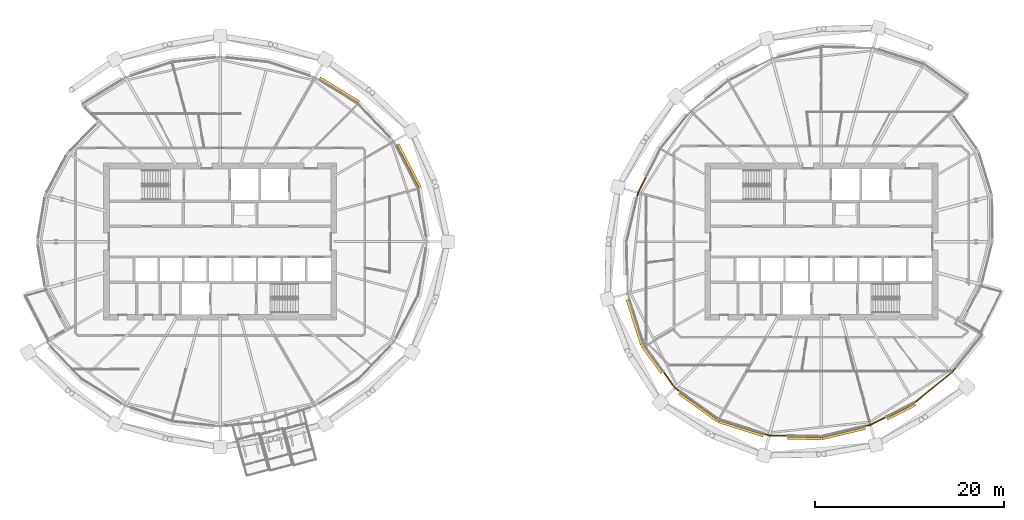
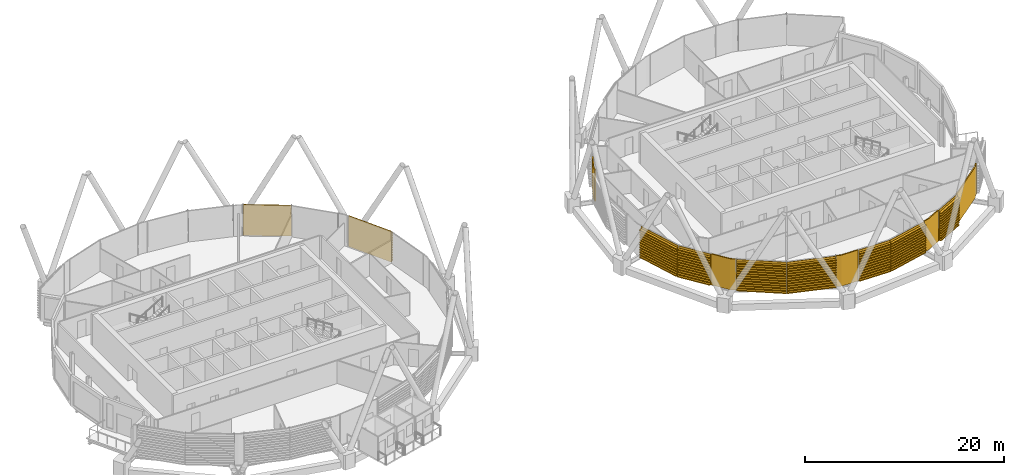
# One storey, part 33 of 35: 14 coverings.
"""IFC4 building model written with IfcOpenShell, lengths in metres."""

import ifcopenshell
import ifcopenshell.guid

model = None  # the IFC model being written
_history = None  # IfcOwnerHistory: only IFC2X3 demands one
_inside = {}  # id of a spatial element -> (the spatial element, [elements in it])
_under = {}  # id of a project, library or spatial element -> (it, [spatial elements below it])
_declared = {}  # id of a project -> (the project, [libraries it declares])
_typed = {}  # id of a type object -> (the type object, [elements of that type])
_made_of = {}  # id of a material, layer set ... -> (it, [elements and type objects made of it])


def new_model(schema):
    """Start an empty IFC model of exactly this schema.

    Asked for "IFC4X3", IfcOpenShell would pick the latest addendum, in which some entities
    have other attributes; the version numbers below select the first issue.
    IFC2X3 requires an IfcOwnerHistory on every rooted entity: one is made here for all.
    """
    global model, _history
    if schema == "IFC4X3":
        model = ifcopenshell.file(schema_version=(4, 3, 0, 0))
    else:
        model = ifcopenshell.file(schema=schema)
    _inside.clear()
    _under.clear()
    _declared.clear()
    _typed.clear()
    _made_of.clear()
    _history = None
    if model.schema == "IFC2X3":
        org = make("IfcOrganization", Name="unknown")
        user = make(
            "IfcPersonAndOrganization",
            ThePerson=make("IfcPerson", FamilyName="unknown"),
            TheOrganization=org,
        )
        app = make(
            "IfcApplication",
            ApplicationDeveloper=org,
            Version="unknown",
            ApplicationFullName="unknown",
            ApplicationIdentifier="unknown",
        )
        _history = make(
            "IfcOwnerHistory",
            OwningUser=user,
            OwningApplication=app,
            ChangeAction="ADDED",
            CreationDate=0,
        )
    return model


def make(cls, **values):
    """One entity of the class cls with the attributes given. An attribute that is None is left unset."""
    return model.create_entity(
        cls, **{name: value for name, value in values.items() if value is not None}
    )


def rooted(cls, **values):
    """An entity with a GlobalId (a new one), such as an element, a storey or a relation."""
    return make(cls, GlobalId=ifcopenshell.guid.new(), OwnerHistory=_history, **values)


def si_unit(unit_type, name, prefix=None):
    """IfcSIUnit, for example si_unit("LENGTHUNIT", "METRE", prefix="MILLI")."""
    return make("IfcSIUnit", UnitType=unit_type, Prefix=prefix, Name=name)


def assignment(units):
    """IfcUnitAssignment: the units of a project."""
    return None if units is None else make("IfcUnitAssignment", Units=units)


def point(xyz):
    """IfcCartesianPoint."""
    return None if xyz is None else make("IfcCartesianPoint", Coordinates=xyz)


def direction(xyz):
    """IfcDirection."""
    return None if xyz is None else make("IfcDirection", DirectionRatios=xyz)


def frame(location, z_axis=None, x_axis=None):
    """IfcAxis2Placement3D, a coordinate frame: its origin and axes. An axis left out is left unset."""
    return make(
        "IfcAxis2Placement3D",
        Location=point(location),
        Axis=direction(z_axis),
        RefDirection=direction(x_axis),
    )


def origin():
    """The frame at (0, 0, 0) with its axes left unset."""
    return frame((0.0, 0.0, 0.0))


def place(relative_to, where):
    """IfcLocalPlacement: puts the frame where relative to a parent placement (None: the world)."""
    return make(
        "IfcLocalPlacement", PlacementRelTo=relative_to, RelativePlacement=where
    )


def context(
    kind, dimensions, precision=None, world=None, true_north=None, identifier=None
):
    """IfcGeometricRepresentationContext, for example the 3D "Model" context."""
    return make(
        "IfcGeometricRepresentationContext",
        ContextIdentifier=identifier,
        ContextType=kind,
        CoordinateSpaceDimension=dimensions,
        Precision=precision,
        WorldCoordinateSystem=world,
        TrueNorth=true_north,
    )


def subcontext(parent, identifier, kind, view, scale=None):
    """IfcGeometricRepresentationSubContext, for example "Body" below "Model"."""
    return make(
        "IfcGeometricRepresentationSubContext",
        ContextIdentifier=identifier,
        ContextType=kind,
        ParentContext=parent,
        TargetScale=scale,
        TargetView=view,
    )


def project(units=None, contexts=None):
    """IfcProject with its units and contexts."""
    return rooted(
        "IfcProject",
        Name="project",
        RepresentationContexts=contexts,
        UnitsInContext=assignment(units),
    )


def spatial(cls, under=None, at=None, **own):
    """A site, building, storey or space (cls), placed at a placement, below another one or the project."""
    s = rooted(cls, ObjectPlacement=at, **own)
    if under is not None:
        _under.setdefault(under.id(), (under, []))[1].append(s)
    return s


def polyline(points):
    """IfcPolyline through the points."""
    return make("IfcPolyline", Points=[point(p) for p in points])


def outline(outer, holes=None, kind="AREA"):
    """IfcArbitraryClosedProfileDef: a profile drawn as a closed curve; with holes, ...WithVoids."""
    if holes is None:
        return make("IfcArbitraryClosedProfileDef", ProfileType=kind, OuterCurve=outer)
    return make(
        "IfcArbitraryProfileDefWithVoids",
        ProfileType=kind,
        OuterCurve=outer,
        InnerCurves=holes,
    )


def extrude(swept, where, along, depth):
    """IfcExtrudedAreaSolid: the profile swept, set in the frame where, extruded along a direction by depth."""
    return make(
        "IfcExtrudedAreaSolid",
        SweptArea=swept,
        Position=where,
        ExtrudedDirection=direction(along),
        Depth=depth,
    )


def shape(context_of_items, identifier, shape_type, items):
    """IfcShapeRepresentation: the items that make up one representation, for example the "Body"."""
    return make(
        "IfcShapeRepresentation",
        ContextOfItems=context_of_items,
        RepresentationIdentifier=identifier,
        RepresentationType=shape_type,
        Items=items,
    )


def material(Name=None, Category=None):
    """IfcMaterial."""
    return make("IfcMaterial", Name=Name, Category=Category)


def layer(
    of_material, thickness, ventilated=None, Name=None, Category=None, Priority=None
):
    """IfcMaterialLayer: one layer of a wall or slab, of a material (None: an air gap)."""
    return make(
        "IfcMaterialLayer",
        Material=of_material,
        LayerThickness=thickness,
        IsVentilated=ventilated,
        Name=Name,
        Category=Category,
        Priority=Priority,
    )


def layer_set(layers, Name=None):
    """IfcMaterialLayerSet."""
    return make("IfcMaterialLayerSet", MaterialLayers=layers, LayerSetName=Name)


def material_profile(
    of_material, cross_section, Name=None, Category=None, Priority=None
):
    """IfcMaterialProfile: a cross section and its material."""
    return make(
        "IfcMaterialProfile",
        Name=Name,
        Material=of_material,
        Profile=cross_section,
        Priority=Priority,
        Category=Category,
    )


def profile_set(profiles, Name=None, composite=None):
    """IfcMaterialProfileSet."""
    return make(
        "IfcMaterialProfileSet",
        Name=Name,
        MaterialProfiles=profiles,
        CompositeProfile=composite,
    )


def made_of(thing, what):
    """Note that an element or type object is made of a material, layer set ...; save() writes the relation."""
    if what is not None:
        _made_of.setdefault(what.id(), (what, []))[1].append(thing)
    return thing


def type_object(cls, material=None, **own):
    """A type object (cls), such as IfcWallType, which elements share."""
    return made_of(rooted(cls, **own), material)


def element(
    cls,
    number,
    at=None,
    inside=None,
    cuts=None,
    type_object=None,
    material=None,
    context=None,
    identifier="Body",
    shape_type=None,
    held_by="IfcProductDefinitionShape",
    body=None,
    shapes=None,
    **own,
):
    """One element of the class cls, such as IfcWall. Its Tag is "e" and its number.

    at: its placement. inside: the storey or other place that contains it. cuts: it is an
    opening in that element (IfcRelVoidsElement). A single representation is given by context,
    identifier, shape_type and body (its items); several are given by shapes. held_by: the class
    of the entity that holds the representations. save() writes the other relations.
    """
    e = rooted(cls, Tag="e%d" % number, ObjectPlacement=at, **own)
    if body is not None:
        shapes = [shape(context, identifier, shape_type, body)]
    if shapes is not None:
        e.Representation = make(held_by, Representations=shapes)
    if inside is not None:
        _inside.setdefault(inside.id(), (inside, []))[1].append(e)
    if cuts is not None:
        rooted(
            "IfcRelVoidsElement", RelatingBuildingElement=cuts, RelatedOpeningElement=e
        )
    if type_object is not None:
        _typed.setdefault(type_object.id(), (type_object, []))[1].append(e)
    return made_of(e, material)


def aggregate(whole, parts):
    """IfcRelAggregates: a whole, such as a stair, and the parts it consists of."""
    return rooted("IfcRelAggregates", RelatingObject=whole, RelatedObjects=parts)


def save(model, path):
    """Write the relations noted so far, then the file.

    IfcRelAggregates (storeys below a building ...), IfcRelContainedInSpatialStructure (elements
    in a storey), IfcRelDefinesByType, IfcRelAssociatesMaterial and IfcRelDeclares: one each for
    every whole, place, type object, material and project.
    """
    for whole, parts in _under.values():
        aggregate(whole, parts)
    for where, things in _inside.values():
        rooted(
            "IfcRelContainedInSpatialStructure",
            RelatedElements=things,
            RelatingStructure=where,
        )
    for kind, things in _typed.values():
        rooted("IfcRelDefinesByType", RelatedObjects=things, RelatingType=kind)
    for what, things in _made_of.values():
        rooted("IfcRelAssociatesMaterial", RelatedObjects=things, RelatingMaterial=what)
    for by, libraries in _declared.values():
        rooted("IfcRelDeclares", RelatingContext=by, RelatedDefinitions=libraries)
    model.write(path)


model = new_model("IFC4")

# Units and contexts
model_context = context("Model", 3, precision=1e-05, world=origin(), true_north=direction((0.0, 1.0)))
body_context = subcontext(model_context, "Body", "Model", "MODEL_VIEW")
ifc_project = project(units=[si_unit("LENGTHUNIT", "METRE"), si_unit("AREAUNIT", "SQUARE_METRE"), si_unit("VOLUMEUNIT", "CUBIC_METRE"), si_unit("PLANEANGLEUNIT", "RADIAN"), si_unit("MASSUNIT", "GRAM", prefix="KILO")], contexts=[model_context])

# Site, building, storey
site_placement = place(None, origin())
site = spatial("IfcSite", under=ifc_project, at=site_placement, CompositionType="ELEMENT")
building_placement = place(site_placement, origin())
building = spatial("IfcBuilding", under=site, at=building_placement, Name="Rimbun Link Towers", CompositionType="ELEMENT")
storey_placement = place(building_placement, frame((0.0, 0.0, 181.699951171875)))
storey = spatial("IfcBuildingStorey", under=building, at=storey_placement, Name="L44", CompositionType="ELEMENT", Elevation=181.699951171875)

# Coverings
ifc_material_1 = material(Name="Terracotta", Category="masonry")
ifc_layer = layer(ifc_material_1, 0.1201171875)
ifc_layer_set = layer_set([ifc_layer], Name="LINK PIER terracotta cladding 120")
covering_type_1 = type_object("IfcCoveringType", Name="LINK PIER terracotta cladding 120", PredefinedType="CLADDING", material=ifc_layer_set)
covering_1_placement = place(storey_placement, origin())
element("IfcCovering", 1, at=covering_1_placement, inside=storey, type_object=covering_type_1, Name="LINK PIER cladding", PredefinedType="CLADDING", context=body_context, shape_type="SweptSolid", body=[
    extrude(outline(polyline([(12.33154296875, 4.6650390625), (12.452392578125, 5.170654296875), (13.291748046875, 6.841796875), (13.1845703125, 6.895751953125), (12.339111328125, 5.212158203125), (12.21484375, 4.69287109375), (12.33154296875, 4.6650390625)])), origin(), (0.0, 0.0, 1.0), 3.800048828125),
])
covering_2_placement = place(storey_placement, origin())
element("IfcCovering", 2, at=covering_2_placement, inside=storey, type_object=covering_type_1, Name="LINK PIER cladding", PredefinedType="CLADDING", context=body_context, shape_type="SweptSolid", body=[
    extrude(outline(polyline([(16.838134765625, -15.777099609375), (16.33447265625, -15.41552734375), (15.12744140625, -13.73388671875), (15.030029296875, -13.8037109375), (16.248291015625, -15.501708984375), (16.76806640625, -15.87451171875), (16.838134765625, -15.777099609375)])), origin(), (0.0, 0.0, 1.0), 3.800048828125),
])
covering_3_placement = place(storey_placement, origin())
element("IfcCovering", 3, at=covering_3_placement, inside=storey, type_object=covering_type_1, Name="LINK PIER cladding", PredefinedType="CLADDING", context=body_context, shape_type="SweptSolid", body=[
    extrude(outline(polyline([(28.1484375, -20.458251953125), (26.27880859375, -20.418701171875), (25.735595703125, -20.24609375), (25.69921875, -20.3603515625), (26.259033203125, -20.538330078125), (28.145751953125, -20.578125), (28.1484375, -20.458251953125)])), origin(), (0.0, 0.0, 1.0), 3.800048828125),
])
covering_4_placement = place(storey_placement, origin())
element("IfcCovering", 4, at=covering_4_placement, inside=storey, type_object=covering_type_1, Name="LINK PIER cladding", PredefinedType="CLADDING", context=body_context, shape_type="SweptSolid", body=[
    extrude(outline(polyline([(38.547119140625, -18.480712890625), (36.920654296875, -19.297607421875), (36.366455078125, -19.43017578125), (36.394287109375, -19.546875), (36.962158203125, -19.410888671875), (38.60107421875, -18.587890625), (38.547119140625, -18.480712890625)])), origin(), (0.0, 0.0, 1.0), 3.800048828125),
])
covering_5_placement = place(storey_placement, origin())
element("IfcCovering", 5, at=covering_5_placement, inside=storey, type_object=covering_type_1, Name="LINK PIER cladding", PredefinedType="CLADDING", context=body_context, shape_type="SweptSolid", body=[
    extrude(outline(polyline([(45.904052734375, -13.281982421875), (45.513916015625, -13.763916015625), (41.57275390625, -16.9541015625), (41.648193359375, -17.04736328125), (45.599365234375, -13.849365234375), (45.997314453125, -13.357666015625), (45.904052734375, -13.281982421875)])), origin(), (0.0, 0.0, 1.0), 3.800048828125),
])
ifc_material_2 = material(Name="Terracotta", Category="masonry")
ifc_material_profile = material_profile(ifc_material_2, outline(polyline([(0.123046875, 0.0), (0.1630859375, 0.0), (0.1630859375, 0.10009765625), (0.423095703125, 0.10009765625), (0.423095703125, 0.219970703125), (0.1630859375, 0.219970703125), (0.1630859375, 0.39990234375), (0.423095703125, 0.39990234375), (0.423095703125, 0.52001953125), (0.1630859375, 0.52001953125), (0.1630859375, 0.699951171875), (0.423095703125, 0.699951171875), (0.423095703125, 0.820068359375), (0.1630859375, 0.820068359375), (0.1630859375, 1.0), (0.423095703125, 1.0), (0.423095703125, 1.1201171875), (0.1630859375, 1.1201171875), (0.1630859375, 1.300048828125), (0.423095703125, 1.300048828125), (0.423095703125, 1.419921875), (0.1630859375, 1.419921875), (0.1630859375, 1.60009765625), (0.423095703125, 1.60009765625), (0.423095703125, 1.719970703125), (0.1630859375, 1.719970703125), (0.1630859375, 1.89990234375), (0.423095703125, 1.89990234375), (0.423095703125, 2.02001953125), (0.1630859375, 2.02001953125), (0.1630859375, 2.199951171875), (0.423095703125, 2.199951171875), (0.423095703125, 2.320068359375), (0.1630859375, 2.320068359375), (0.1630859375, 2.5), (0.423095703125, 2.5), (0.423095703125, 2.6201171875), (0.1630859375, 2.6201171875), (0.1630859375, 2.800048828125), (0.423095703125, 2.800048828125), (0.423095703125, 2.919921875), (0.1630859375, 2.919921875), (0.1630859375, 3.10009765625), (0.423095703125, 3.10009765625), (0.423095703125, 3.219970703125), (0.1630859375, 3.219970703125), (0.1630859375, 3.39990234375), (0.423095703125, 3.39990234375), (0.423095703125, 3.52001953125), (0.1630859375, 3.52001953125), (0.1630859375, 3.800048828125), (0.123046875, 3.800048828125), (0.123046875, 0.0)])), Name="BAGUETTE 120X300")
ifc_profile_set = profile_set([ifc_material_profile], Name="Terracotta")
covering_type_2 = type_object("IfcCoveringType", Name="TERRACOTTA BAGUETTE 120X300 H3800", PredefinedType="CLADDING", material=ifc_profile_set)
covering_6_placement = place(storey_placement, frame((-13.236083984375, 10.169921875, 0.0), z_axis=(0.459550562914, -0.88815160875, 0.0), x_axis=(0.88815160875, 0.459550562914, 0.0)))
element("IfcCovering", 6, at=covering_6_placement, inside=storey, type_object=covering_type_2, Name="TERRACOTTA BAGUETTE", PredefinedType="CLADDING", context=body_context, shape_type="SweptSolid", body=[
    extrude(outline(polyline([(0.123046875, 0.0), (0.1630859375, 0.0), (0.1630859375, 0.10009765625), (0.423095703125, 0.10009765625), (0.423095703125, 0.219970703125), (0.1630859375, 0.219970703125), (0.1630859375, 0.39990234375), (0.423095703125, 0.39990234375), (0.423095703125, 0.52001953125), (0.1630859375, 0.52001953125), (0.1630859375, 0.699951171875), (0.423095703125, 0.699951171875), (0.423095703125, 0.820068359375), (0.1630859375, 0.820068359375), (0.1630859375, 1.0), (0.423095703125, 1.0), (0.423095703125, 1.1201171875), (0.1630859375, 1.1201171875), (0.1630859375, 1.300048828125), (0.423095703125, 1.300048828125), (0.423095703125, 1.419921875), (0.1630859375, 1.419921875), (0.1630859375, 1.60009765625), (0.423095703125, 1.60009765625), (0.423095703125, 1.719970703125), (0.1630859375, 1.719970703125), (0.1630859375, 1.89990234375), (0.423095703125, 1.89990234375), (0.423095703125, 2.02001953125), (0.1630859375, 2.02001953125), (0.1630859375, 2.199951171875), (0.423095703125, 2.199951171875), (0.423095703125, 2.320068359375), (0.1630859375, 2.320068359375), (0.1630859375, 2.5), (0.423095703125, 2.5), (0.423095703125, 2.6201171875), (0.1630859375, 2.6201171875), (0.1630859375, 2.800048828125), (0.423095703125, 2.800048828125), (0.423095703125, 2.919921875), (0.1630859375, 2.919921875), (0.1630859375, 3.10009765625), (0.423095703125, 3.10009765625), (0.423095703125, 3.219970703125), (0.1630859375, 3.219970703125), (0.1630859375, 3.39990234375), (0.423095703125, 3.39990234375), (0.423095703125, 3.52001953125), (0.1630859375, 3.52001953125), (0.1630859375, 3.800048828125), (0.123046875, 3.800048828125), (0.123046875, 0.0)])), origin(), (0.0, 0.0, 1.0), 5.151123046875),
])
covering_7_placement = place(storey_placement, frame((-21.37744140625, 17.066162109375, 0.0), z_axis=(0.852184961331, -0.523240663253, 0.0), x_axis=(0.523240663253, 0.852184961331, 0.0)))
element("IfcCovering", 7, at=covering_7_placement, inside=storey, type_object=covering_type_2, Name="TERRACOTTA BAGUETTE", PredefinedType="CLADDING", context=body_context, shape_type="SweptSolid", body=[
    extrude(outline(polyline([(0.123046875, 0.0), (0.1630859375, 0.0), (0.1630859375, 0.10009765625), (0.423095703125, 0.10009765625), (0.423095703125, 0.219970703125), (0.1630859375, 0.219970703125), (0.1630859375, 0.39990234375), (0.423095703125, 0.39990234375), (0.423095703125, 0.52001953125), (0.1630859375, 0.52001953125), (0.1630859375, 0.699951171875), (0.423095703125, 0.699951171875), (0.423095703125, 0.820068359375), (0.1630859375, 0.820068359375), (0.1630859375, 1.0), (0.423095703125, 1.0), (0.423095703125, 1.1201171875), (0.1630859375, 1.1201171875), (0.1630859375, 1.300048828125), (0.423095703125, 1.300048828125), (0.423095703125, 1.419921875), (0.1630859375, 1.419921875), (0.1630859375, 1.60009765625), (0.423095703125, 1.60009765625), (0.423095703125, 1.719970703125), (0.1630859375, 1.719970703125), (0.1630859375, 1.89990234375), (0.423095703125, 1.89990234375), (0.423095703125, 2.02001953125), (0.1630859375, 2.02001953125), (0.1630859375, 2.199951171875), (0.423095703125, 2.199951171875), (0.423095703125, 2.320068359375), (0.1630859375, 2.320068359375), (0.1630859375, 2.5), (0.423095703125, 2.5), (0.423095703125, 2.6201171875), (0.1630859375, 2.6201171875), (0.1630859375, 2.800048828125), (0.423095703125, 2.800048828125), (0.423095703125, 2.919921875), (0.1630859375, 2.919921875), (0.1630859375, 3.10009765625), (0.423095703125, 3.10009765625), (0.423095703125, 3.219970703125), (0.1630859375, 3.219970703125), (0.1630859375, 3.39990234375), (0.423095703125, 3.39990234375), (0.423095703125, 3.52001953125), (0.1630859375, 3.52001953125), (0.1630859375, 3.800048828125), (0.123046875, 3.800048828125), (0.123046875, 0.0)])), origin(), (0.0, 0.0, 1.0), 4.866455078125),
])
covering_8_placement = place(storey_placement, frame((13.028564453125, -10.808837890625, 0.0), z_axis=(-0.303060589461, 0.952971289765, 0.0), x_axis=(-0.952971289765, -0.303060589461, 0.0)))
element("IfcCovering", 8, at=covering_8_placement, inside=storey, type_object=covering_type_2, Name="TERRACOTTA BAGUETTE", PredefinedType="CLADDING", context=body_context, shape_type="SweptSolid", body=[
    extrude(outline(polyline([(0.123046875, 0.0), (0.1630859375, 0.0), (0.1630859375, 0.10009765625), (0.423095703125, 0.10009765625), (0.423095703125, 0.219970703125), (0.1630859375, 0.219970703125), (0.1630859375, 0.39990234375), (0.423095703125, 0.39990234375), (0.423095703125, 0.52001953125), (0.1630859375, 0.52001953125), (0.1630859375, 0.699951171875), (0.423095703125, 0.699951171875), (0.423095703125, 0.820068359375), (0.1630859375, 0.820068359375), (0.1630859375, 1.0), (0.423095703125, 1.0), (0.423095703125, 1.1201171875), (0.1630859375, 1.1201171875), (0.1630859375, 1.300048828125), (0.423095703125, 1.300048828125), (0.423095703125, 1.419921875), (0.1630859375, 1.419921875), (0.1630859375, 1.60009765625), (0.423095703125, 1.60009765625), (0.423095703125, 1.719970703125), (0.1630859375, 1.719970703125), (0.1630859375, 1.89990234375), (0.423095703125, 1.89990234375), (0.423095703125, 2.02001953125), (0.1630859375, 2.02001953125), (0.1630859375, 2.199951171875), (0.423095703125, 2.199951171875), (0.423095703125, 2.320068359375), (0.1630859375, 2.320068359375), (0.1630859375, 2.5), (0.423095703125, 2.5), (0.423095703125, 2.6201171875), (0.1630859375, 2.6201171875), (0.1630859375, 2.800048828125), (0.423095703125, 2.800048828125), (0.423095703125, 2.919921875), (0.1630859375, 2.919921875), (0.1630859375, 3.10009765625), (0.423095703125, 3.10009765625), (0.423095703125, 3.219970703125), (0.1630859375, 3.219970703125), (0.1630859375, 3.39990234375), (0.423095703125, 3.39990234375), (0.423095703125, 3.52001953125), (0.1630859375, 3.52001953125), (0.1630859375, 3.800048828125), (0.123046875, 3.800048828125), (0.123046875, 0.0)])), origin(), (0.0, 0.0, 1.0), 5.0009765625),
])
covering_9_placement = place(storey_placement, frame((15.110107421875, -13.70947265625, 0.0), z_axis=(-0.583028589075, 0.812451638143, 0.0), x_axis=(-0.812451638143, -0.583028589075, 0.0)))
element("IfcCovering", 9, at=covering_9_placement, inside=storey, type_object=covering_type_2, Name="TERRACOTTA BAGUETTE", PredefinedType="CLADDING", context=body_context, shape_type="SweptSolid", body=[
    extrude(outline(polyline([(0.123046875, 0.0), (0.1630859375, 0.0), (0.1630859375, 0.10009765625), (0.423095703125, 0.10009765625), (0.423095703125, 0.219970703125), (0.1630859375, 0.219970703125), (0.1630859375, 0.39990234375), (0.423095703125, 0.39990234375), (0.423095703125, 0.52001953125), (0.1630859375, 0.52001953125), (0.1630859375, 0.699951171875), (0.423095703125, 0.699951171875), (0.423095703125, 0.820068359375), (0.1630859375, 0.820068359375), (0.1630859375, 1.0), (0.423095703125, 1.0), (0.423095703125, 1.1201171875), (0.1630859375, 1.1201171875), (0.1630859375, 1.300048828125), (0.423095703125, 1.300048828125), (0.423095703125, 1.419921875), (0.1630859375, 1.419921875), (0.1630859375, 1.60009765625), (0.423095703125, 1.60009765625), (0.423095703125, 1.719970703125), (0.1630859375, 1.719970703125), (0.1630859375, 1.89990234375), (0.423095703125, 1.89990234375), (0.423095703125, 2.02001953125), (0.1630859375, 2.02001953125), (0.1630859375, 2.199951171875), (0.423095703125, 2.199951171875), (0.423095703125, 2.320068359375), (0.1630859375, 2.320068359375), (0.1630859375, 2.5), (0.423095703125, 2.5), (0.423095703125, 2.6201171875), (0.1630859375, 2.6201171875), (0.1630859375, 2.800048828125), (0.423095703125, 2.800048828125), (0.423095703125, 2.919921875), (0.1630859375, 2.919921875), (0.1630859375, 3.10009765625), (0.423095703125, 3.10009765625), (0.423095703125, 3.219970703125), (0.1630859375, 3.219970703125), (0.1630859375, 3.39990234375), (0.423095703125, 3.39990234375), (0.423095703125, 3.52001953125), (0.1630859375, 3.52001953125), (0.1630859375, 3.800048828125), (0.123046875, 3.800048828125), (0.123046875, 0.0)])), origin(), (0.0, 0.0, 1.0), 3.5703125),
])
covering_10_placement = place(storey_placement, frame((20.941162109375, -18.721435546875, 0.0), z_axis=(-0.812463132053, 0.583012571953, 0.0), x_axis=(-0.583012571953, -0.812463132053, 0.0)))
element("IfcCovering", 10, at=covering_10_placement, inside=storey, type_object=covering_type_2, Name="TERRACOTTA BAGUETTE", PredefinedType="CLADDING", context=body_context, shape_type="SweptSolid", body=[
    extrude(outline(polyline([(0.123046875, 0.0), (0.1630859375, 0.0), (0.1630859375, 0.10009765625), (0.423095703125, 0.10009765625), (0.423095703125, 0.219970703125), (0.1630859375, 0.219970703125), (0.1630859375, 0.39990234375), (0.423095703125, 0.39990234375), (0.423095703125, 0.52001953125), (0.1630859375, 0.52001953125), (0.1630859375, 0.699951171875), (0.423095703125, 0.699951171875), (0.423095703125, 0.820068359375), (0.1630859375, 0.820068359375), (0.1630859375, 1.0), (0.423095703125, 1.0), (0.423095703125, 1.1201171875), (0.1630859375, 1.1201171875), (0.1630859375, 1.300048828125), (0.423095703125, 1.300048828125), (0.423095703125, 1.419921875), (0.1630859375, 1.419921875), (0.1630859375, 1.60009765625), (0.423095703125, 1.60009765625), (0.423095703125, 1.719970703125), (0.1630859375, 1.719970703125), (0.1630859375, 1.89990234375), (0.423095703125, 1.89990234375), (0.423095703125, 2.02001953125), (0.1630859375, 2.02001953125), (0.1630859375, 2.199951171875), (0.423095703125, 2.199951171875), (0.423095703125, 2.320068359375), (0.1630859375, 2.320068359375), (0.1630859375, 2.5), (0.423095703125, 2.5), (0.423095703125, 2.6201171875), (0.1630859375, 2.6201171875), (0.1630859375, 2.800048828125), (0.423095703125, 2.800048828125), (0.423095703125, 2.919921875), (0.1630859375, 2.919921875), (0.1630859375, 3.10009765625), (0.423095703125, 3.10009765625), (0.423095703125, 3.219970703125), (0.1630859375, 3.219970703125), (0.1630859375, 3.39990234375), (0.423095703125, 3.39990234375), (0.423095703125, 3.52001953125), (0.1630859375, 3.52001953125), (0.1630859375, 3.800048828125), (0.123046875, 3.800048828125), (0.123046875, 0.0)])), origin(), (0.0, 0.0, 1.0), 5.02001953125),
])
covering_11_placement = place(storey_placement, frame((25.70703125, -20.237060546875, 0.0), z_axis=(-0.952971289765, 0.303060589461, 0.0), x_axis=(-0.303060589461, -0.952971289765, 0.0)))
element("IfcCovering", 11, at=covering_11_placement, inside=storey, type_object=covering_type_2, Name="TERRACOTTA BAGUETTE", PredefinedType="CLADDING", context=body_context, shape_type="SweptSolid", body=[
    extrude(outline(polyline([(0.123046875, 0.0), (0.1630859375, 0.0), (0.1630859375, 0.10009765625), (0.423095703125, 0.10009765625), (0.423095703125, 0.219970703125), (0.1630859375, 0.219970703125), (0.1630859375, 0.39990234375), (0.423095703125, 0.39990234375), (0.423095703125, 0.52001953125), (0.1630859375, 0.52001953125), (0.1630859375, 0.699951171875), (0.423095703125, 0.699951171875), (0.423095703125, 0.820068359375), (0.1630859375, 0.820068359375), (0.1630859375, 1.0), (0.423095703125, 1.0), (0.423095703125, 1.1201171875), (0.1630859375, 1.1201171875), (0.1630859375, 1.300048828125), (0.423095703125, 1.300048828125), (0.423095703125, 1.419921875), (0.1630859375, 1.419921875), (0.1630859375, 1.60009765625), (0.423095703125, 1.60009765625), (0.423095703125, 1.719970703125), (0.1630859375, 1.719970703125), (0.1630859375, 1.89990234375), (0.423095703125, 1.89990234375), (0.423095703125, 2.02001953125), (0.1630859375, 2.02001953125), (0.1630859375, 2.199951171875), (0.423095703125, 2.199951171875), (0.423095703125, 2.320068359375), (0.1630859375, 2.320068359375), (0.1630859375, 2.5), (0.423095703125, 2.5), (0.423095703125, 2.6201171875), (0.1630859375, 2.6201171875), (0.1630859375, 2.800048828125), (0.423095703125, 2.800048828125), (0.423095703125, 2.919921875), (0.1630859375, 2.919921875), (0.1630859375, 3.10009765625), (0.423095703125, 3.10009765625), (0.423095703125, 3.219970703125), (0.1630859375, 3.219970703125), (0.1630859375, 3.39990234375), (0.423095703125, 3.39990234375), (0.423095703125, 3.52001953125), (0.1630859375, 3.52001953125), (0.1630859375, 3.800048828125), (0.123046875, 3.800048828125), (0.123046875, 0.0)])), origin(), (0.0, 0.0, 1.0), 5.0009765625),
])
covering_12_placement = place(storey_placement, frame((31.75, -20.5341796875, 0.0), z_axis=(-0.999776996135, 0.021117717671, 0.0), x_axis=(-0.021117717671, -0.999776996135, 0.0)))
element("IfcCovering", 12, at=covering_12_placement, inside=storey, type_object=covering_type_2, Name="TERRACOTTA BAGUETTE", PredefinedType="CLADDING", context=body_context, shape_type="SweptSolid", body=[
    extrude(outline(polyline([(0.123046875, 0.0), (0.1630859375, 0.0), (0.1630859375, 0.10009765625), (0.423095703125, 0.10009765625), (0.423095703125, 0.219970703125), (0.1630859375, 0.219970703125), (0.1630859375, 0.39990234375), (0.423095703125, 0.39990234375), (0.423095703125, 0.52001953125), (0.1630859375, 0.52001953125), (0.1630859375, 0.699951171875), (0.423095703125, 0.699951171875), (0.423095703125, 0.820068359375), (0.1630859375, 0.820068359375), (0.1630859375, 1.0), (0.423095703125, 1.0), (0.423095703125, 1.1201171875), (0.1630859375, 1.1201171875), (0.1630859375, 1.300048828125), (0.423095703125, 1.300048828125), (0.423095703125, 1.419921875), (0.1630859375, 1.419921875), (0.1630859375, 1.60009765625), (0.423095703125, 1.60009765625), (0.423095703125, 1.719970703125), (0.1630859375, 1.719970703125), (0.1630859375, 1.89990234375), (0.423095703125, 1.89990234375), (0.423095703125, 2.02001953125), (0.1630859375, 2.02001953125), (0.1630859375, 2.199951171875), (0.423095703125, 2.199951171875), (0.423095703125, 2.320068359375), (0.1630859375, 2.320068359375), (0.1630859375, 2.5), (0.423095703125, 2.5), (0.423095703125, 2.6201171875), (0.1630859375, 2.6201171875), (0.1630859375, 2.800048828125), (0.423095703125, 2.800048828125), (0.423095703125, 2.919921875), (0.1630859375, 2.919921875), (0.1630859375, 3.10009765625), (0.423095703125, 3.10009765625), (0.423095703125, 3.219970703125), (0.1630859375, 3.219970703125), (0.1630859375, 3.39990234375), (0.423095703125, 3.39990234375), (0.423095703125, 3.52001953125), (0.1630859375, 3.52001953125), (0.1630859375, 3.800048828125), (0.123046875, 3.800048828125), (0.123046875, 0.0)])), origin(), (0.0, 0.0, 1.0), 3.572265625),
])
covering_13_placement = place(storey_placement, frame((36.337158203125, -19.43701171875, 0.0), z_axis=(-0.972567436525, -0.232621111275, 0.0), x_axis=(0.232621111275, -0.972567436525, 0.0)))
element("IfcCovering", 13, at=covering_13_placement, inside=storey, type_object=covering_type_2, Name="TERRACOTTA BAGUETTE", PredefinedType="CLADDING", context=body_context, shape_type="SweptSolid", body=[
    extrude(outline(polyline([(0.123046875, 0.0), (0.1630859375, 0.0), (0.1630859375, 0.10009765625), (0.423095703125, 0.10009765625), (0.423095703125, 0.219970703125), (0.1630859375, 0.219970703125), (0.1630859375, 0.39990234375), (0.423095703125, 0.39990234375), (0.423095703125, 0.52001953125), (0.1630859375, 0.52001953125), (0.1630859375, 0.699951171875), (0.423095703125, 0.699951171875), (0.423095703125, 0.820068359375), (0.1630859375, 0.820068359375), (0.1630859375, 1.0), (0.423095703125, 1.0), (0.423095703125, 1.1201171875), (0.1630859375, 1.1201171875), (0.1630859375, 1.300048828125), (0.423095703125, 1.300048828125), (0.423095703125, 1.419921875), (0.1630859375, 1.419921875), (0.1630859375, 1.60009765625), (0.423095703125, 1.60009765625), (0.423095703125, 1.719970703125), (0.1630859375, 1.719970703125), (0.1630859375, 1.89990234375), (0.423095703125, 1.89990234375), (0.423095703125, 2.02001953125), (0.1630859375, 2.02001953125), (0.1630859375, 2.199951171875), (0.423095703125, 2.199951171875), (0.423095703125, 2.320068359375), (0.1630859375, 2.320068359375), (0.1630859375, 2.5), (0.423095703125, 2.5), (0.423095703125, 2.6201171875), (0.1630859375, 2.6201171875), (0.1630859375, 2.800048828125), (0.423095703125, 2.800048828125), (0.423095703125, 2.919921875), (0.1630859375, 2.919921875), (0.1630859375, 3.10009765625), (0.423095703125, 3.10009765625), (0.423095703125, 3.219970703125), (0.1630859375, 3.219970703125), (0.1630859375, 3.39990234375), (0.423095703125, 3.39990234375), (0.423095703125, 3.52001953125), (0.1630859375, 3.52001953125), (0.1630859375, 3.800048828125), (0.123046875, 3.800048828125), (0.123046875, 0.0)])), origin(), (0.0, 0.0, 1.0), 4.716552734375),
])
covering_14_placement = place(storey_placement, frame((41.54931640625, -16.972900390625, 0.0), z_axis=(-0.89361915461, -0.448826031457, 0.0), x_axis=(0.448826031457, -0.89361915461, 0.0)))
element("IfcCovering", 14, at=covering_14_placement, inside=storey, type_object=covering_type_2, Name="TERRACOTTA BAGUETTE", PredefinedType="CLADDING", context=body_context, shape_type="SweptSolid", body=[
    extrude(outline(polyline([(0.123046875, 0.0), (0.1630859375, 0.0), (0.1630859375, 0.10009765625), (0.423095703125, 0.10009765625), (0.423095703125, 0.219970703125), (0.1630859375, 0.219970703125), (0.1630859375, 0.39990234375), (0.423095703125, 0.39990234375), (0.423095703125, 0.52001953125), (0.1630859375, 0.52001953125), (0.1630859375, 0.699951171875), (0.423095703125, 0.699951171875), (0.423095703125, 0.820068359375), (0.1630859375, 0.820068359375), (0.1630859375, 1.0), (0.423095703125, 1.0), (0.423095703125, 1.1201171875), (0.1630859375, 1.1201171875), (0.1630859375, 1.300048828125), (0.423095703125, 1.300048828125), (0.423095703125, 1.419921875), (0.1630859375, 1.419921875), (0.1630859375, 1.60009765625), (0.423095703125, 1.60009765625), (0.423095703125, 1.719970703125), (0.1630859375, 1.719970703125), (0.1630859375, 1.89990234375), (0.423095703125, 1.89990234375), (0.423095703125, 2.02001953125), (0.1630859375, 2.02001953125), (0.1630859375, 2.199951171875), (0.423095703125, 2.199951171875), (0.423095703125, 2.320068359375), (0.1630859375, 2.320068359375), (0.1630859375, 2.5), (0.423095703125, 2.5), (0.423095703125, 2.6201171875), (0.1630859375, 2.6201171875), (0.1630859375, 2.800048828125), (0.423095703125, 2.800048828125), (0.423095703125, 2.919921875), (0.1630859375, 2.919921875), (0.1630859375, 3.10009765625), (0.423095703125, 3.10009765625), (0.423095703125, 3.219970703125), (0.1630859375, 3.219970703125), (0.1630859375, 3.39990234375), (0.423095703125, 3.39990234375), (0.423095703125, 3.52001953125), (0.1630859375, 3.52001953125), (0.1630859375, 3.800048828125), (0.123046875, 3.800048828125), (0.123046875, 0.0)])), origin(), (0.0, 0.0, 1.0), 3.32958984375),
])

save(model, "model.ifc")
